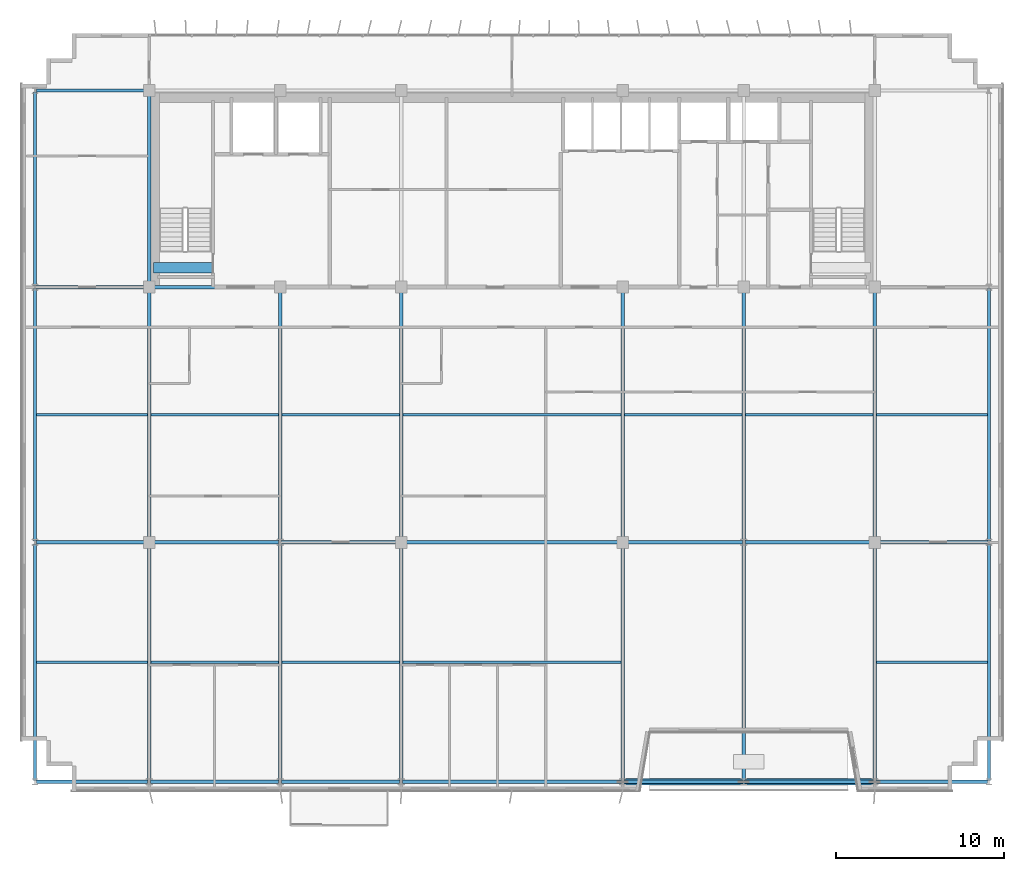
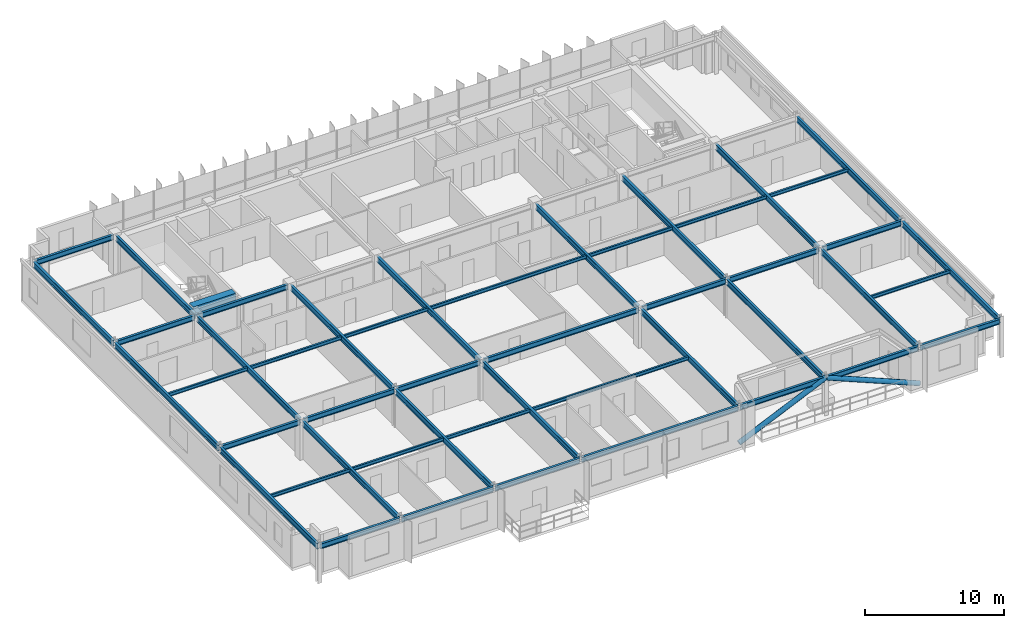
# One storey, part 5 of 23: 48 beams, 2 members.
"""IFC4 building model written with IfcOpenShell, lengths in metres."""

from ifc_helpers import new_model, si_unit, direction, frame, origin, origin_2d, place, context, subcontext, project, spatial, rectangle, hollow_circle, i_section, extrude, source, transform, mapped, material, material_profile, profile_set, type_object, element, save


model = new_model("IFC4")

# Units and contexts
model_context = context("Model", 3, precision=1e-05, world=origin(), true_north=direction((0.0, 1.0)))
body_context = subcontext(model_context, "Body", "Model", "MODEL_VIEW")
ifc_project = project(units=[si_unit("LENGTHUNIT", "METRE"), si_unit("AREAUNIT", "SQUARE_METRE"), si_unit("VOLUMEUNIT", "CUBIC_METRE"), si_unit("PLANEANGLEUNIT", "RADIAN"), si_unit("MASSUNIT", "GRAM", prefix="KILO")], contexts=[model_context])

# Site, building, storey
site_placement = place(None, origin())
site = spatial("IfcSite", under=ifc_project, at=site_placement, CompositionType="ELEMENT")
building_placement = place(site_placement, origin())
building = spatial("IfcBuilding", under=site, at=building_placement, Name="Trelvane Seafront Commons", CompositionType="ELEMENT")
storey_placement = place(building_placement, frame((0.0, 0.0, 230.10009765625)))
storey = spatial("IfcBuildingStorey", under=building, at=storey_placement, Name="L60", CompositionType="ELEMENT", Elevation=230.10009765625)

# Beams
ifc_material_1 = material(Name="Concrete C60/75", Category="concrete")
ifc_material_profile_1 = material_profile(ifc_material_1, rectangle(XDim=0.60009765625, YDim=0.89990234375, at=origin_2d()), Name="RC-600x900")
ifc_profile_set_1 = profile_set([ifc_material_profile_1], Name="Concrete C60/75")
beam_type_1 = type_object("IfcBeamType", Name="STR-LNT-RC600x900", PredefinedType="LINTEL", material=ifc_profile_set_1)
shared_shape_1 = source(origin(), body_context, "Body", "SweptSolid", [
    extrude(rectangle(XDim=0.60009765625, YDim=0.89990234375, at=origin_2d()), origin(), (0.0, 0.0, 1.0), 3.5498046875),
])
beam_1_placement = place(storey_placement, frame((15.85009765625, 34.550048828125, 2.909912109375), z_axis=(1.0, 0.0, 0.0), x_axis=(0.0, 1.0, 0.0)))
element("IfcBeam", 1, at=beam_1_placement, inside=storey, type_object=beam_type_1, Name="L60 Core Coupling Lintel Beam CB-65", PredefinedType="LINTEL", context=body_context, shape_type="MappedRepresentation", body=[
    mapped(shared_shape_1, transform((0.0, 0.0, 0.0), x_axis=(1.0, 0.0, 0.0), y_axis=(0.0, 1.0, 0.0), z_axis=(0.0, 0.0, 1.0), scale=1.0)),
])
ifc_material_2 = material(Name="Steel SM355 (S355)", Category="steel")
ifc_material_profile_2 = material_profile(ifc_material_2, i_section(OverallWidth=0.199951171875, OverallDepth=0.5, WebThickness=0.010009765625, FlangeThickness=0.01611328125, at=origin_2d()), Name="H-500x200x10x16")
ifc_profile_set_2 = profile_set([ifc_material_profile_2], Name="Steel SM355 (S355)")
beam_type_2 = type_object("IfcBeamType", Name="STR-BM-H500", PredefinedType="BEAM", material=ifc_profile_set_2)
shared_shape_2 = source(origin(), body_context, "Body", "SweptSolid", [
    extrude(i_section(OverallWidth=0.199951171875, OverallDepth=0.5, WebThickness=0.010009765625, FlangeThickness=0.01611328125, at=origin_2d()), origin(), (0.0, 0.0, 1.0), 14.89990234375),
])
for number, where, z_axis, x_axis, name in (
    (2, (15.60009765625, 18.35009765625, 3.10986328125), (0.0, 1.0, 0.0), (-1.0, 0.0, 0.0), "L60 Primary Girder G-33"),
    (3, (30.60009765625, 18.35009765625, 3.10986328125), (0.0, 1.0, 0.0), (-1.0, 0.0, 0.0), "L60 Primary Girder G-39"),
    (4, (43.800048828125, 18.35009765625, 3.10986328125), (0.0, 1.0, 0.0), (-1.0, 0.0, 0.0), "L60 Primary Girder G-42"),
    (5, (58.800048828125, 18.35009765625, 3.10986328125), (0.0, 1.0, 0.0), (-1.0, 0.0, 0.0), "L60 Primary Girder G-48"),
):
    element("IfcBeam", number, at=place(storey_placement, frame(where, z_axis=z_axis, x_axis=x_axis)), inside=storey, type_object=beam_type_2, Name=name, PredefinedType="BEAM", context=body_context, shape_type="MappedRepresentation", body=[
        mapped(shared_shape_2, transform((0.0, 0.0, 0.0), x_axis=(1.0, 0.0, 0.0), y_axis=(0.0, 1.0, 0.0), z_axis=(0.0, 0.0, 1.0), scale=1.0)),
    ])
shared_shape_3 = source(origin(), body_context, "Body", "SweptSolid", [
    extrude(i_section(OverallWidth=0.199951171875, OverallDepth=0.5, WebThickness=0.010009765625, FlangeThickness=0.01611328125, at=origin_2d()), origin(), (0.0, 0.0, 1.0), 11.39990234375),
])
beam_2_placement = place(storey_placement, frame((15.60009765625, 33.550048828125, 3.10986328125), z_axis=(0.0, 1.0, 0.0), x_axis=(-1.0, 0.0, 0.0)))
element("IfcBeam", 6, at=beam_2_placement, inside=storey, type_object=beam_type_2, Name="L60 Primary Girder G-34", PredefinedType="BEAM", context=body_context, shape_type="MappedRepresentation", body=[
    mapped(shared_shape_3, transform((0.0, 0.0, 0.0), x_axis=(1.0, 0.0, 0.0), y_axis=(0.0, 1.0, 0.0), z_axis=(0.0, 0.0, 1.0), scale=1.0)),
])
ifc_material_profile_3 = material_profile(ifc_material_2, i_section(OverallWidth=0.199951171875, OverallDepth=0.449951171875, WebThickness=0.009033203125, FlangeThickness=0.013916015625, at=origin_2d()), Name="H-450x200x9x14")
ifc_profile_set_3 = profile_set([ifc_material_profile_3], Name="Steel SM355 (S355)")
beam_type_3 = type_object("IfcBeamType", Name="STR-SPD-H450", PredefinedType="SPANDREL", material=ifc_profile_set_3)
shared_shape_4 = source(origin(), body_context, "Body", "SweptSolid", [
    extrude(i_section(OverallWidth=0.199951171875, OverallDepth=0.449951171875, WebThickness=0.009033203125, FlangeThickness=0.013916015625, at=origin_2d()), origin(), (0.0, 0.0, 1.0), 6.625),
])
for number, where, z_axis, x_axis, name in (
    (7, (8.887451171875, 3.949951171875, 3.135009765625), (1.0, 0.0, 0.0), (0.0, 1.0, 0.0), "L60 Primary Girder G-01"),
    (8, (58.887451171875, 3.949951171875, 3.135009765625), (1.0, 0.0, 0.0), (0.0, 1.0, 0.0), "L60 Primary Girder G-07"),
):
    element("IfcBeam", number, at=place(storey_placement, frame(where, z_axis=z_axis, x_axis=x_axis)), inside=storey, type_object=beam_type_3, Name=name, PredefinedType="SPANDREL", context=body_context, shape_type="MappedRepresentation", body=[
        mapped(shared_shape_4, transform((0.0, 0.0, 0.0), x_axis=(1.0, 0.0, 0.0), y_axis=(0.0, 1.0, 0.0), z_axis=(0.0, 0.0, 1.0), scale=1.0)),
    ])
shared_shape_5 = source(origin(), body_context, "Body", "SweptSolid", [
    extrude(i_section(OverallWidth=0.199951171875, OverallDepth=0.449951171875, WebThickness=0.009033203125, FlangeThickness=0.013916015625, at=origin_2d()), origin(), (0.0, 0.0, 1.0), 7.625),
])
for number, where, z_axis, x_axis, name in (
    (9, (15.6875, 3.949951171875, 3.135009765625), (1.0, 0.0, 0.0), (0.0, 1.0, 0.0), "L60 Primary Girder G-02"),
    (10, (51.08740234375, 3.949951171875, 3.135009765625), (1.0, 0.0, 0.0), (0.0, 1.0, 0.0), "L60 Primary Girder G-06"),
):
    element("IfcBeam", number, at=place(storey_placement, frame(where, z_axis=z_axis, x_axis=x_axis)), inside=storey, type_object=beam_type_3, Name=name, PredefinedType="SPANDREL", context=body_context, shape_type="MappedRepresentation", body=[
        mapped(shared_shape_5, transform((0.0, 0.0, 0.0), x_axis=(1.0, 0.0, 0.0), y_axis=(0.0, 1.0, 0.0), z_axis=(0.0, 0.0, 1.0), scale=1.0)),
    ])
shared_shape_6 = source(origin(), body_context, "Body", "SweptSolid", [
    extrude(i_section(OverallWidth=0.199951171875, OverallDepth=0.449951171875, WebThickness=0.009033203125, FlangeThickness=0.013916015625, at=origin_2d()), origin(), (0.0, 0.0, 1.0), 7.02490234375),
])
beam_3_placement = place(storey_placement, frame((23.487548828125, 3.949951171875, 3.135009765625), z_axis=(1.0, 0.0, 0.0), x_axis=(0.0, 1.0, 0.0)))
element("IfcBeam", 11, at=beam_3_placement, inside=storey, type_object=beam_type_3, Name="L60 Primary Girder G-03", PredefinedType="SPANDREL", context=body_context, shape_type="MappedRepresentation", body=[
    mapped(shared_shape_6, transform((0.0, 0.0, 0.0), x_axis=(1.0, 0.0, 0.0), y_axis=(0.0, 1.0, 0.0), z_axis=(0.0, 0.0, 1.0), scale=1.0)),
])
shared_shape_7 = source(origin(), body_context, "Body", "SweptSolid", [
    extrude(i_section(OverallWidth=0.199951171875, OverallDepth=0.449951171875, WebThickness=0.009033203125, FlangeThickness=0.013916015625, at=origin_2d()), origin(), (0.0, 0.0, 1.0), 7.025146484375),
])
beam_4_placement = place(storey_placement, frame((43.887451171875, 3.949951171875, 3.135009765625), z_axis=(1.0, 0.0, 0.0), x_axis=(0.0, 1.0, 0.0)))
element("IfcBeam", 12, at=beam_4_placement, inside=storey, type_object=beam_type_3, Name="L60 Primary Girder G-05", PredefinedType="SPANDREL", context=body_context, shape_type="MappedRepresentation", body=[
    mapped(shared_shape_7, transform((0.0, 0.0, 0.0), x_axis=(1.0, 0.0, 0.0), y_axis=(0.0, 1.0, 0.0), z_axis=(0.0, 0.0, 1.0), scale=1.0)),
])
shared_shape_8 = source(origin(), body_context, "Body", "SweptSolid", [
    extrude(i_section(OverallWidth=0.199951171875, OverallDepth=0.449951171875, WebThickness=0.009033203125, FlangeThickness=0.013916015625, at=origin_2d()), origin(), (0.0, 0.0, 1.0), 6.5625),
])
for number, where, z_axis, x_axis, name in (
    (13, (8.887451171875, 18.199951171875, 3.135009765625), (1.0, 0.0, 0.0), (0.0, 1.0, 0.0), "L60 Primary Girder G-08"),
    (14, (58.949951171875, 18.199951171875, 3.135009765625), (1.0, 0.0, 0.0), (0.0, 1.0, 0.0), "L60 Primary Girder G-14"),
    (15, (8.887451171875, 33.39990234375, 3.135009765625), (1.0, 0.0, 0.0), (0.0, 1.0, 0.0), "L60 Primary Girder G-15"),
    (16, (8.887451171875, 45.10009765625, 3.135009765625), (1.0, 0.0, 0.0), (0.0, 1.0, 0.0), "L60 Primary Girder G-22"),
):
    element("IfcBeam", number, at=place(storey_placement, frame(where, z_axis=z_axis, x_axis=x_axis)), inside=storey, type_object=beam_type_3, Name=name, PredefinedType="SPANDREL", context=body_context, shape_type="MappedRepresentation", body=[
        mapped(shared_shape_8, transform((0.0, 0.0, 0.0), x_axis=(1.0, 0.0, 0.0), y_axis=(0.0, 1.0, 0.0), z_axis=(0.0, 0.0, 1.0), scale=1.0)),
    ])
shared_shape_9 = source(origin(), body_context, "Body", "SweptSolid", [
    extrude(i_section(OverallWidth=0.199951171875, OverallDepth=0.449951171875, WebThickness=0.009033203125, FlangeThickness=0.013916015625, at=origin_2d()), origin(), (0.0, 0.0, 1.0), 7.5625),
])
for number, where, z_axis, x_axis, name in (
    (17, (15.75, 18.199951171875, 3.135009765625), (1.0, 0.0, 0.0), (0.0, 1.0, 0.0), "L60 Primary Girder G-09"),
    (18, (51.08740234375, 18.199951171875, 3.135009765625), (1.0, 0.0, 0.0), (0.0, 1.0, 0.0), "L60 Primary Girder G-13"),
):
    element("IfcBeam", number, at=place(storey_placement, frame(where, z_axis=z_axis, x_axis=x_axis)), inside=storey, type_object=beam_type_3, Name=name, PredefinedType="SPANDREL", context=body_context, shape_type="MappedRepresentation", body=[
        mapped(shared_shape_9, transform((0.0, 0.0, 0.0), x_axis=(1.0, 0.0, 0.0), y_axis=(0.0, 1.0, 0.0), z_axis=(0.0, 0.0, 1.0), scale=1.0)),
    ])
shared_shape_10 = source(origin(), body_context, "Body", "SweptSolid", [
    extrude(i_section(OverallWidth=0.199951171875, OverallDepth=0.449951171875, WebThickness=0.009033203125, FlangeThickness=0.013916015625, at=origin_2d()), origin(), (0.0, 0.0, 1.0), 6.96240234375),
])
beam_5_placement = place(storey_placement, frame((23.487548828125, 18.199951171875, 3.135009765625), z_axis=(1.0, 0.0, 0.0), x_axis=(0.0, 1.0, 0.0)))
element("IfcBeam", 19, at=beam_5_placement, inside=storey, type_object=beam_type_3, Name="L60 Primary Girder G-10", PredefinedType="SPANDREL", context=body_context, shape_type="MappedRepresentation", body=[
    mapped(shared_shape_10, transform((0.0, 0.0, 0.0), x_axis=(1.0, 0.0, 0.0), y_axis=(0.0, 1.0, 0.0), z_axis=(0.0, 0.0, 1.0), scale=1.0)),
])
shared_shape_11 = source(origin(), body_context, "Body", "SweptSolid", [
    extrude(i_section(OverallWidth=0.199951171875, OverallDepth=0.449951171875, WebThickness=0.009033203125, FlangeThickness=0.013916015625, at=origin_2d()), origin(), (0.0, 0.0, 1.0), 6.962646484375),
])
beam_6_placement = place(storey_placement, frame((43.949951171875, 18.199951171875, 3.135009765625), z_axis=(1.0, 0.0, 0.0), x_axis=(0.0, 1.0, 0.0)))
element("IfcBeam", 20, at=beam_6_placement, inside=storey, type_object=beam_type_3, Name="L60 Primary Girder G-12", PredefinedType="SPANDREL", context=body_context, shape_type="MappedRepresentation", body=[
    mapped(shared_shape_11, transform((0.0, 0.0, 0.0), x_axis=(1.0, 0.0, 0.0), y_axis=(0.0, 1.0, 0.0), z_axis=(0.0, 0.0, 1.0), scale=1.0)),
])
shared_shape_12 = source(origin(), body_context, "Body", "SweptSolid", [
    extrude(i_section(OverallWidth=0.199951171875, OverallDepth=0.449951171875, WebThickness=0.009033203125, FlangeThickness=0.013916015625, at=origin_2d()), origin(), (0.0, 0.0, 1.0), 7.5),
])
beam_7_placement = place(storey_placement, frame((15.75, 33.39990234375, 3.135009765625), z_axis=(1.0, 0.0, 0.0), x_axis=(0.0, 1.0, 0.0)))
element("IfcBeam", 21, at=beam_7_placement, inside=storey, type_object=beam_type_3, Name="L60 Primary Girder G-16", PredefinedType="SPANDREL", context=body_context, shape_type="MappedRepresentation", body=[
    mapped(shared_shape_12, transform((0.0, 0.0, 0.0), x_axis=(1.0, 0.0, 0.0), y_axis=(0.0, 1.0, 0.0), z_axis=(0.0, 0.0, 1.0), scale=1.0)),
])
shared_shape_13 = source(origin(), body_context, "Body", "SweptSolid", [
    extrude(i_section(OverallWidth=0.199951171875, OverallDepth=0.449951171875, WebThickness=0.009033203125, FlangeThickness=0.013916015625, at=origin_2d()), origin(), (0.0, 0.0, 1.0), 12.89990234375),
])
beam_8_placement = place(storey_placement, frame((30.75, 18.199951171875, 3.135009765625), z_axis=(1.0, 0.0, 0.0), x_axis=(0.0, 1.0, 0.0)))
element("IfcBeam", 22, at=beam_8_placement, inside=storey, type_object=beam_type_3, Name="L60 Primary Girder G-11", PredefinedType="SPANDREL", context=body_context, shape_type="MappedRepresentation", body=[
    mapped(shared_shape_13, transform((0.0, 0.0, 0.0), x_axis=(1.0, 0.0, 0.0), y_axis=(0.0, 1.0, 0.0), z_axis=(0.0, 0.0, 1.0), scale=1.0)),
])
shared_shape_14 = source(origin(), body_context, "Body", "SweptSolid", [
    extrude(i_section(OverallWidth=0.199951171875, OverallDepth=0.5, WebThickness=0.010009765625, FlangeThickness=0.01611328125, at=origin_2d()), origin(), (0.0, 0.0, 1.0), 14.074951171875),
])
for number, where, z_axis, x_axis, name in (
    (23, (8.800048828125, 4.03759765625, 3.10986328125), (0.0, 1.0, 0.0), (-1.0, 0.0, 0.0), "L60 Primary Girder G-29"),
    (24, (23.39990234375, 4.03759765625, 3.10986328125), (0.0, 1.0, 0.0), (-1.0, 0.0, 0.0), "L60 Primary Girder G-35"),
    (25, (51.0, 4.03759765625, 3.10986328125), (0.0, 1.0, 0.0), (-1.0, 0.0, 0.0), "L60 Primary Girder G-44"),
    (26, (65.60009765625, 4.03759765625, 3.10986328125), (0.0, 1.0, 0.0), (-1.0, 0.0, 0.0), "L60 Primary Girder G-50"),
):
    element("IfcBeam", number, at=place(storey_placement, frame(where, z_axis=z_axis, x_axis=x_axis)), inside=storey, type_object=beam_type_2, Name=name, PredefinedType="BEAM", context=body_context, shape_type="MappedRepresentation", body=[
        mapped(shared_shape_14, transform((0.0, 0.0, 0.0), x_axis=(1.0, 0.0, 0.0), y_axis=(0.0, 1.0, 0.0), z_axis=(0.0, 0.0, 1.0), scale=1.0)),
    ])
shared_shape_15 = source(origin(), body_context, "Body", "SweptSolid", [
    extrude(i_section(OverallWidth=0.199951171875, OverallDepth=0.5, WebThickness=0.010009765625, FlangeThickness=0.01611328125, at=origin_2d()), origin(), (0.0, 0.0, 1.0), 15.02490234375),
])
for number, where, z_axis, x_axis, name in (
    (27, (8.800048828125, 18.28759765625, 3.10986328125), (0.0, 1.0, 0.0), (-1.0, 0.0, 0.0), "L60 Primary Girder G-30"),
    (28, (65.60009765625, 18.28759765625, 3.10986328125), (0.0, 1.0, 0.0), (-1.0, 0.0, 0.0), "L60 Primary Girder G-51"),
):
    element("IfcBeam", number, at=place(storey_placement, frame(where, z_axis=z_axis, x_axis=x_axis)), inside=storey, type_object=beam_type_2, Name=name, PredefinedType="BEAM", context=body_context, shape_type="MappedRepresentation", body=[
        mapped(shared_shape_15, transform((0.0, 0.0, 0.0), x_axis=(1.0, 0.0, 0.0), y_axis=(0.0, 1.0, 0.0), z_axis=(0.0, 0.0, 1.0), scale=1.0)),
    ])
shared_shape_16 = source(origin(), body_context, "Body", "SweptSolid", [
    extrude(i_section(OverallWidth=0.199951171875, OverallDepth=0.5, WebThickness=0.010009765625, FlangeThickness=0.01611328125, at=origin_2d()), origin(), (0.0, 0.0, 1.0), 11.52490234375),
])
beam_9_placement = place(storey_placement, frame((8.800048828125, 33.487548828125, 3.10986328125), z_axis=(0.0, 1.0, 0.0), x_axis=(-1.0, 0.0, 0.0)))
element("IfcBeam", 29, at=beam_9_placement, inside=storey, type_object=beam_type_2, Name="L60 Primary Girder G-31", PredefinedType="BEAM", context=body_context, shape_type="MappedRepresentation", body=[
    mapped(shared_shape_16, transform((0.0, 0.0, 0.0), x_axis=(1.0, 0.0, 0.0), y_axis=(0.0, 1.0, 0.0), z_axis=(0.0, 0.0, 1.0), scale=1.0)),
])
shared_shape_17 = source(origin(), body_context, "Body", "SweptSolid", [
    extrude(i_section(OverallWidth=0.199951171875, OverallDepth=0.5, WebThickness=0.010009765625, FlangeThickness=0.01611328125, at=origin_2d()), origin(), (0.0, 0.0, 1.0), 14.012451171875),
])
for number, where, z_axis, x_axis, name in (
    (30, (15.60009765625, 4.03759765625, 3.10986328125), (0.0, 1.0, 0.0), (-1.0, 0.0, 0.0), "L60 Primary Girder G-32"),
    (31, (30.60009765625, 4.03759765625, 3.10986328125), (0.0, 1.0, 0.0), (-1.0, 0.0, 0.0), "L60 Primary Girder G-38"),
    (32, (43.800048828125, 4.03759765625, 3.10986328125), (0.0, 1.0, 0.0), (-1.0, 0.0, 0.0), "L60 Primary Girder G-41"),
    (33, (58.800048828125, 4.03759765625, 3.10986328125), (0.0, 1.0, 0.0), (-1.0, 0.0, 0.0), "L60 Primary Girder G-47"),
):
    element("IfcBeam", number, at=place(storey_placement, frame(where, z_axis=z_axis, x_axis=x_axis)), inside=storey, type_object=beam_type_2, Name=name, PredefinedType="BEAM", context=body_context, shape_type="MappedRepresentation", body=[
        mapped(shared_shape_17, transform((0.0, 0.0, 0.0), x_axis=(1.0, 0.0, 0.0), y_axis=(0.0, 1.0, 0.0), z_axis=(0.0, 0.0, 1.0), scale=1.0)),
    ])
shared_shape_18 = source(origin(), body_context, "Body", "SweptSolid", [
    extrude(i_section(OverallWidth=0.199951171875, OverallDepth=0.5, WebThickness=0.010009765625, FlangeThickness=0.01611328125, at=origin_2d()), origin(), (0.0, 0.0, 1.0), 14.96240234375),
])
for number, where, z_axis, x_axis, name in (
    (34, (23.39990234375, 18.28759765625, 3.10986328125), (0.0, 1.0, 0.0), (-1.0, 0.0, 0.0), "L60 Primary Girder G-36"),
    (35, (51.0, 18.28759765625, 3.10986328125), (0.0, 1.0, 0.0), (-1.0, 0.0, 0.0), "L60 Primary Girder G-45"),
):
    element("IfcBeam", number, at=place(storey_placement, frame(where, z_axis=z_axis, x_axis=x_axis)), inside=storey, type_object=beam_type_2, Name=name, PredefinedType="BEAM", context=body_context, shape_type="MappedRepresentation", body=[
        mapped(shared_shape_18, transform((0.0, 0.0, 0.0), x_axis=(1.0, 0.0, 0.0), y_axis=(0.0, 1.0, 0.0), z_axis=(0.0, 0.0, 1.0), scale=1.0)),
    ])
ifc_material_profile_4 = material_profile(ifc_material_2, i_section(OverallWidth=0.14990234375, OverallDepth=0.300048828125, WebThickness=0.006591796875, FlangeThickness=0.009033203125, at=origin_2d()), Name="H-300x150x6.5x9")
ifc_profile_set_4 = profile_set([ifc_material_profile_4], Name="Steel SM355 (S355)")
beam_type_4 = type_object("IfcBeamType", Name="STR-JST-H300", PredefinedType="JOIST", material=ifc_profile_set_4)
shared_shape_19 = source(origin(), body_context, "Body", "SweptSolid", [
    extrude(i_section(OverallWidth=0.14990234375, OverallDepth=0.300048828125, WebThickness=0.006591796875, FlangeThickness=0.009033203125, at=origin_2d()), origin(), (0.0, 0.0, 1.0), 6.60009765625),
])
for number, where, z_axis, x_axis, name in (
    (36, (8.89990234375, 11.074951171875, 3.2099609375), (1.0, 0.0, 0.0), (0.0, 1.0, 0.0), "L60 Secondary Floor Joist B-53"),
    (37, (58.89990234375, 11.074951171875, 3.2099609375), (1.0, 0.0, 0.0), (0.0, 1.0, 0.0), "L60 Secondary Floor Joist B-57"),
    (38, (8.89990234375, 25.800048828125, 3.2099609375), (1.0, 0.0, 0.0), (0.0, 1.0, 0.0), "L60 Secondary Floor Joist B-58"),
    (39, (58.89990234375, 25.800048828125, 3.2099609375), (1.0, 0.0, 0.0), (0.0, 1.0, 0.0), "L60 Secondary Floor Joist B-64"),
):
    element("IfcBeam", number, at=place(storey_placement, frame(where, z_axis=z_axis, x_axis=x_axis)), inside=storey, type_object=beam_type_4, Name=name, PredefinedType="JOIST", context=body_context, shape_type="MappedRepresentation", body=[
        mapped(shared_shape_19, transform((0.0, 0.0, 0.0), x_axis=(1.0, 0.0, 0.0), y_axis=(0.0, 1.0, 0.0), z_axis=(0.0, 0.0, 1.0), scale=1.0)),
    ])
shared_shape_20 = source(origin(), body_context, "Body", "SweptSolid", [
    extrude(i_section(OverallWidth=0.14990234375, OverallDepth=0.300048828125, WebThickness=0.006591796875, FlangeThickness=0.009033203125, at=origin_2d()), origin(), (0.0, 0.0, 1.0), 7.60009765625),
])
for number, where, z_axis, x_axis, name in (
    (40, (15.699951171875, 11.074951171875, 3.2099609375), (1.0, 0.0, 0.0), (0.0, 1.0, 0.0), "L60 Secondary Floor Joist B-54"),
    (41, (15.699951171875, 25.800048828125, 3.2099609375), (1.0, 0.0, 0.0), (0.0, 1.0, 0.0), "L60 Secondary Floor Joist B-59"),
):
    element("IfcBeam", number, at=place(storey_placement, frame(where, z_axis=z_axis, x_axis=x_axis)), inside=storey, type_object=beam_type_4, Name=name, PredefinedType="JOIST", context=body_context, shape_type="MappedRepresentation", body=[
        mapped(shared_shape_20, transform((0.0, 0.0, 0.0), x_axis=(1.0, 0.0, 0.0), y_axis=(0.0, 1.0, 0.0), z_axis=(0.0, 0.0, 1.0), scale=1.0)),
    ])
shared_shape_21 = source(origin(), body_context, "Body", "SweptSolid", [
    extrude(i_section(OverallWidth=0.14990234375, OverallDepth=0.300048828125, WebThickness=0.006591796875, FlangeThickness=0.009033203125, at=origin_2d()), origin(), (0.0, 0.0, 1.0), 7.0),
])
for number, where, z_axis, x_axis, name in (
    (42, (23.5, 11.074951171875, 3.2099609375), (1.0, 0.0, 0.0), (0.0, 1.0, 0.0), "L60 Secondary Floor Joist B-55"),
    (43, (23.5, 25.800048828125, 3.2099609375), (1.0, 0.0, 0.0), (0.0, 1.0, 0.0), "L60 Secondary Floor Joist B-60"),
    (44, (43.89990234375, 25.800048828125, 3.2099609375), (1.0, 0.0, 0.0), (0.0, 1.0, 0.0), "L60 Secondary Floor Joist B-62"),
):
    element("IfcBeam", number, at=place(storey_placement, frame(where, z_axis=z_axis, x_axis=x_axis)), inside=storey, type_object=beam_type_4, Name=name, PredefinedType="JOIST", context=body_context, shape_type="MappedRepresentation", body=[
        mapped(shared_shape_21, transform((0.0, 0.0, 0.0), x_axis=(1.0, 0.0, 0.0), y_axis=(0.0, 1.0, 0.0), z_axis=(0.0, 0.0, 1.0), scale=1.0)),
    ])
shared_shape_22 = source(origin(), body_context, "Body", "SweptSolid", [
    extrude(i_section(OverallWidth=0.14990234375, OverallDepth=0.300048828125, WebThickness=0.006591796875, FlangeThickness=0.009033203125, at=origin_2d()), origin(), (0.0, 0.0, 1.0), 7.599853515625),
])
beam_10_placement = place(storey_placement, frame((51.10009765625, 25.800048828125, 3.2099609375), z_axis=(1.0, 0.0, 0.0), x_axis=(0.0, 1.0, 0.0)))
element("IfcBeam", 45, at=beam_10_placement, inside=storey, type_object=beam_type_4, Name="L60 Secondary Floor Joist B-63", PredefinedType="JOIST", context=body_context, shape_type="MappedRepresentation", body=[
    mapped(shared_shape_22, transform((0.0, 0.0, 0.0), x_axis=(1.0, 0.0, 0.0), y_axis=(0.0, 1.0, 0.0), z_axis=(0.0, 0.0, 1.0), scale=1.0)),
])
shared_shape_23 = source(origin(), body_context, "Body", "SweptSolid", [
    extrude(i_section(OverallWidth=0.14990234375, OverallDepth=0.300048828125, WebThickness=0.006591796875, FlangeThickness=0.009033203125, at=origin_2d()), origin(), (0.0, 0.0, 1.0), 13.0),
])
for number, where, z_axis, x_axis, name in (
    (46, (30.699951171875, 11.074951171875, 3.2099609375), (1.0, 0.0, 0.0), (0.0, 1.0, 0.0), "L60 Secondary Floor Joist B-56"),
    (47, (30.699951171875, 25.800048828125, 3.2099609375), (1.0, 0.0, 0.0), (0.0, 1.0, 0.0), "L60 Secondary Floor Joist B-61"),
):
    element("IfcBeam", number, at=place(storey_placement, frame(where, z_axis=z_axis, x_axis=x_axis)), inside=storey, type_object=beam_type_4, Name=name, PredefinedType="JOIST", context=body_context, shape_type="MappedRepresentation", body=[
        mapped(shared_shape_23, transform((0.0, 0.0, 0.0), x_axis=(1.0, 0.0, 0.0), y_axis=(0.0, 1.0, 0.0), z_axis=(0.0, 0.0, 1.0), scale=1.0)),
    ])
shared_shape_24 = source(origin(), body_context, "Body", "SweptSolid", [
    extrude(i_section(OverallWidth=0.199951171875, OverallDepth=0.449951171875, WebThickness=0.009033203125, FlangeThickness=0.013916015625, at=origin_2d()), origin(), (0.0, 0.0, 1.0), 13.02490234375),
])
beam_11_placement = place(storey_placement, frame((30.6875, 3.949951171875, 3.135009765625), z_axis=(1.0, 0.0, 0.0), x_axis=(0.0, 1.0, 0.0)))
element("IfcBeam", 48, at=beam_11_placement, inside=storey, type_object=beam_type_3, Name="L60 Primary Girder G-04", PredefinedType="SPANDREL", context=body_context, shape_type="MappedRepresentation", body=[
    mapped(shared_shape_24, transform((0.0, 0.0, 0.0), x_axis=(1.0, 0.0, 0.0), y_axis=(0.0, 1.0, 0.0), z_axis=(0.0, 0.0, 1.0), scale=1.0)),
])

# Members
ifc_material_profile_5 = material_profile(ifc_material_2, hollow_circle(Radius=0.203125, WallThickness=0.01611328125, at=origin_2d()), Name="CHS-406.4x16")
ifc_profile_set_5 = profile_set([ifc_material_profile_5], Name="Steel SM355 (S355)")
member_type = type_object("IfcMemberType", Name="STR-STR-CHS406", PredefinedType="STRUT", material=ifc_profile_set_5)
shared_shape_25 = source(origin(), body_context, "Body", "SweptSolid", [
    extrude(hollow_circle(Radius=0.203125, WallThickness=0.01611328125, at=origin_2d()), origin(), (0.0, 0.0, 1.0), 7.895263671875),
])
member_1_placement = place(storey_placement, frame((43.800048828125, 3.949951171875, 0.0), z_axis=(0.911920926592, 0.0, 0.410365963067), x_axis=(0.0, 1.0, 0.0)))
element("IfcMember", 49, at=member_1_placement, inside=storey, type_object=member_type, Name="L60 Sky-Garden V-Chevron Brace SGV-W", PredefinedType="STRUT", context=body_context, shape_type="MappedRepresentation", body=[
    mapped(shared_shape_25, transform((0.0, 0.0, 0.0), x_axis=(1.0, 0.0, 0.0), y_axis=(0.0, 1.0, 0.0), z_axis=(0.0, 0.0, 1.0), scale=1.0)),
])
shared_shape_26 = source(origin(), body_context, "Body", "SweptSolid", [
    extrude(hollow_circle(Radius=0.203125, WallThickness=0.01611328125, at=origin_2d()), origin(), (0.0, 0.0, 1.0), 8.4462890625),
])
member_2_placement = place(storey_placement, frame((58.800048828125, 3.949951171875, 0.0), z_axis=(-0.92349797654, 0.0, 0.383603294208), x_axis=(0.0, -1.0, 0.0)))
element("IfcMember", 50, at=member_2_placement, inside=storey, type_object=member_type, Name="L60 Sky-Garden V-Chevron Brace SGV-E", PredefinedType="STRUT", context=body_context, shape_type="MappedRepresentation", body=[
    mapped(shared_shape_26, transform((0.0, 0.0, 0.0), x_axis=(1.0, 0.0, 0.0), y_axis=(0.0, 1.0, 0.0), z_axis=(0.0, 0.0, 1.0), scale=1.0)),
])

save(model, "model.ifc")
